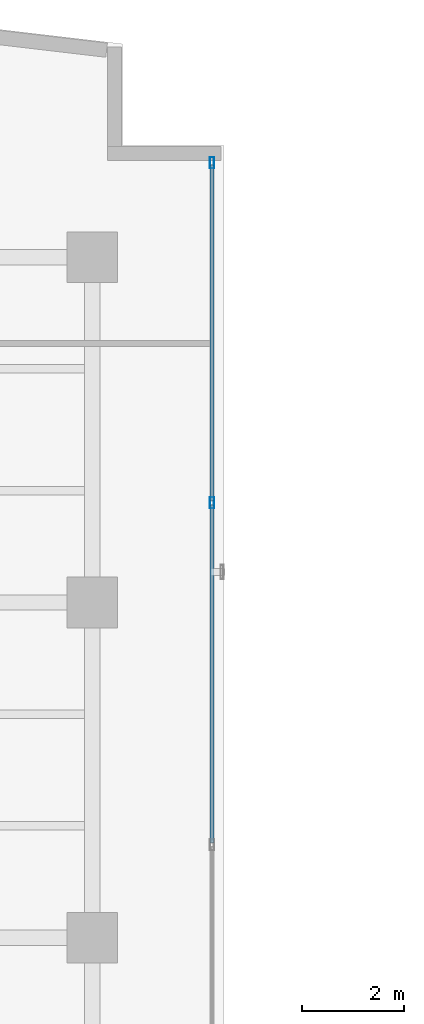
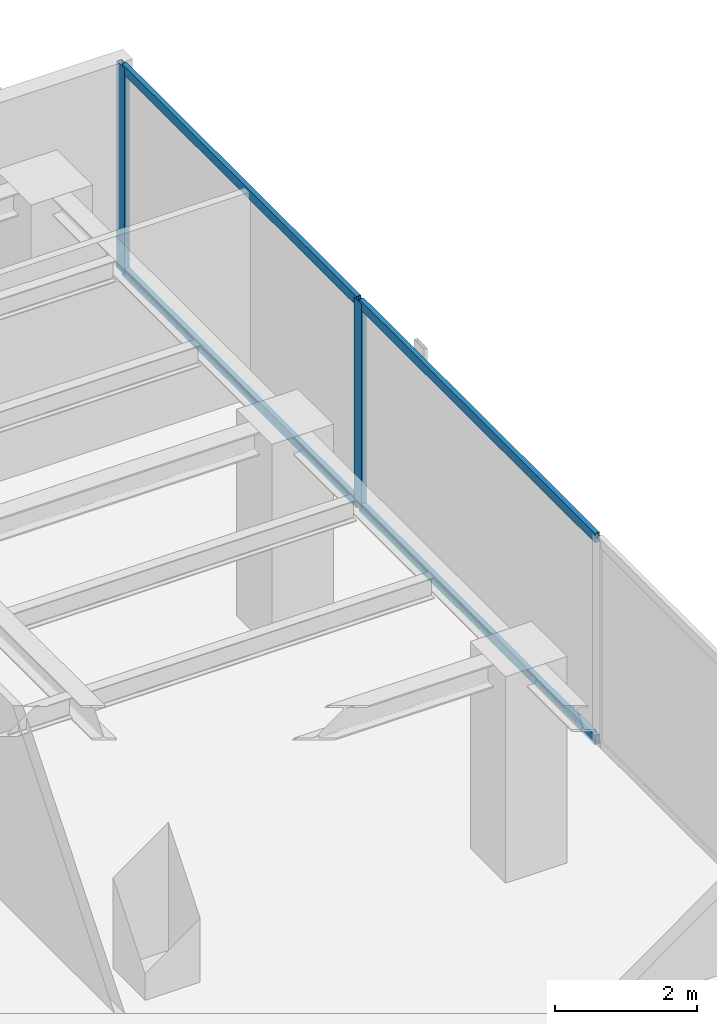
# One storey, part 14 of 23: 6 members, 1 element without a shape of its own.
"""IFC4 building model written with IfcOpenShell, lengths in metres."""

from ifc_helpers import new_model, si_unit, direction, frame, origin, origin_with_axes, origin_2d, place, context, subcontext, project, spatial, hollow_rectangle, extrude, source, transform, mapped, material, layer, layer_set, material_profile, profile_set, type_object, element, aggregate, save


model = new_model("IFC4")

# Units and contexts
model_context = context("Model", 3, precision=1e-05, world=origin(), true_north=direction((0.0, 1.0)))
body_context = subcontext(model_context, "Body", "Model", "MODEL_VIEW")
ifc_project = project(units=[si_unit("LENGTHUNIT", "METRE"), si_unit("AREAUNIT", "SQUARE_METRE"), si_unit("VOLUMEUNIT", "CUBIC_METRE"), si_unit("PLANEANGLEUNIT", "RADIAN"), si_unit("MASSUNIT", "GRAM", prefix="KILO")], contexts=[model_context])

# Site, building, storey
site_placement = place(None, origin())
site = spatial("IfcSite", under=ifc_project, at=site_placement, CompositionType="ELEMENT")
building_placement = place(site_placement, origin())
building = spatial("IfcBuilding", under=site, at=building_placement, Name="Kolvaren Waterfront Exchange", CompositionType="ELEMENT")
storey_placement = place(building_placement, frame((0.0, 0.0, 242.5)))
storey = spatial("IfcBuildingStorey", under=building, at=storey_placement, Name="L62", CompositionType="ELEMENT", Elevation=242.5)

# Curtain wall, members
ifc_material_1 = material(Name="Anodised bronze aluminium 6063-T6", Category="aluminium")
ifc_layer = layer(ifc_material_1, 0.219970703125, Name="Anodised bronze aluminium 6063-T6")
ifc_layer_set = layer_set([ifc_layer], Name="Anodised bronze aluminium 6063-T6")
curtain_wall_type = type_object("IfcCurtainWallType", Name="ARC-CW-SYS1", PredefinedType="USERDEFINED", material=ifc_layer_set)
curtain_wall_placement = place(storey_placement, origin())
curtain_wall = element("IfcCurtainWall", 1, at=curtain_wall_placement, inside=storey, type_object=curtain_wall_type, Name="L62 stick curtain wall CW1 (CW-L62-NE)", ObjectType="STICK CURTAIN WALL", PredefinedType="USERDEFINED")
ifc_material_2 = material(Name="Anodised aluminium 6063-T6", Category="aluminium")
ifc_material_profile_1 = material_profile(ifc_material_2, hollow_rectangle(XDim=0.080078125, YDim=0.219970703125, WallThickness=0.0048828125, at=origin_2d()), Name="ALU-MUL-220x80x5")
ifc_profile_set_1 = profile_set([ifc_material_profile_1], Name="Anodised aluminium 6063-T6")
member_type_1 = type_object("IfcMemberType", Name="ARC-CWM-220", PredefinedType="MULLION", material=ifc_profile_set_1)
shared_shape_1 = source(origin_with_axes(), body_context, "Body", "SweptSolid", [
    extrude(hollow_rectangle(XDim=0.080078125, YDim=0.219970703125, WallThickness=0.0048828125, at=origin_2d()), origin(), (0.0, 0.0, 1.0), 3.56005859375),
])
member_1_placement = place(storey_placement, frame((21.159912109375, 39.763427734375, 0.0), z_axis=(0.0, 0.0, 1.0), x_axis=(-1.0, 0.0, 0.0)))
member_1 = element("IfcMember", 2, at=member_1_placement, type_object=member_type_1, Name="CW1 mullion 3", PredefinedType="MULLION", context=body_context, shape_type="MappedRepresentation", body=[
    mapped(shared_shape_1, transform((0.0, 0.0, 0.0), x_axis=(1.0, 0.0, 0.0), y_axis=(0.0, 1.0, 0.0), z_axis=(0.0, 0.0, 1.0), scale=1.0)),
])
member_2_placement = place(storey_placement, frame((21.159912109375, 46.4599609375, 0.0), z_axis=(0.0, 0.0, 1.0), x_axis=(-1.0, 0.0, 0.0)))
member_2 = element("IfcMember", 3, at=member_2_placement, type_object=member_type_1, Name="CW1 mullion 4", PredefinedType="MULLION", context=body_context, shape_type="MappedRepresentation", body=[
    mapped(shared_shape_1, transform((0.0, 0.0, 0.0), x_axis=(1.0, 0.0, 0.0), y_axis=(0.0, 1.0, 0.0), z_axis=(0.0, 0.0, 1.0), scale=1.0)),
])
ifc_material_profile_2 = material_profile(ifc_material_2, hollow_rectangle(XDim=0.074951171875, YDim=0.159912109375, WallThickness=0.00439453125, at=origin_2d()), Name="ALU-TRN-160x75x4.5")
ifc_profile_set_2 = profile_set([ifc_material_profile_2], Name="Anodised aluminium 6063-T6")
member_type_2 = type_object("IfcMemberType", Name="ARC-CWT-160", PredefinedType="USERDEFINED", material=ifc_profile_set_2)
shared_shape_2 = source(origin_with_axes(), body_context, "Body", "SweptSolid", [
    extrude(hollow_rectangle(XDim=0.074951171875, YDim=0.159912109375, WallThickness=0.00439453125, at=origin_2d()), origin(), (0.0, 0.0, 1.0), 6.65673828125),
])
member_3_placement = place(storey_placement, frame((21.159912109375, 33.066650390625, 0.03759765625), z_axis=(0.0, 1.0, 0.0), x_axis=(-1.0, 0.0, 0.0)))
member_3 = element("IfcMember", 4, at=member_3_placement, type_object=member_type_2, Name="CW1 transom 2.1", ObjectType="TRANSOM", PredefinedType="USERDEFINED", context=body_context, shape_type="MappedRepresentation", body=[
    mapped(shared_shape_2, transform((0.0, 0.0, 0.0), x_axis=(1.0, 0.0, 0.0), y_axis=(0.0, 1.0, 0.0), z_axis=(0.0, 0.0, 1.0), scale=1.0)),
])
member_4_placement = place(storey_placement, frame((21.159912109375, 33.066650390625, 3.5224609375), z_axis=(0.0, 1.0, 0.0), x_axis=(-1.0, 0.0, 0.0)))
member_4 = element("IfcMember", 5, at=member_4_placement, type_object=member_type_2, Name="CW1 transom 2.2", ObjectType="TRANSOM", PredefinedType="USERDEFINED", context=body_context, shape_type="MappedRepresentation", body=[
    mapped(shared_shape_2, transform((0.0, 0.0, 0.0), x_axis=(1.0, 0.0, 0.0), y_axis=(0.0, 1.0, 0.0), z_axis=(0.0, 0.0, 1.0), scale=1.0)),
])
shared_shape_3 = source(origin_with_axes(), body_context, "Body", "SweptSolid", [
    extrude(hollow_rectangle(XDim=0.074951171875, YDim=0.159912109375, WallThickness=0.00439453125, at=origin_2d()), origin(), (0.0, 0.0, 1.0), 6.61669921875),
])
member_5_placement = place(storey_placement, frame((21.159912109375, 39.80322265625, 0.03759765625), z_axis=(0.0, 1.0, 0.0), x_axis=(-1.0, 0.0, 0.0)))
member_5 = element("IfcMember", 6, at=member_5_placement, type_object=member_type_2, Name="CW1 transom 3.1", ObjectType="TRANSOM", PredefinedType="USERDEFINED", context=body_context, shape_type="MappedRepresentation", body=[
    mapped(shared_shape_3, transform((0.0, 0.0, 0.0), x_axis=(1.0, 0.0, 0.0), y_axis=(0.0, 1.0, 0.0), z_axis=(0.0, 0.0, 1.0), scale=1.0)),
])
member_6_placement = place(storey_placement, frame((21.159912109375, 39.80322265625, 3.5224609375), z_axis=(0.0, 1.0, 0.0), x_axis=(-1.0, 0.0, 0.0)))
member_6 = element("IfcMember", 7, at=member_6_placement, type_object=member_type_2, Name="CW1 transom 3.2", ObjectType="TRANSOM", PredefinedType="USERDEFINED", context=body_context, shape_type="MappedRepresentation", body=[
    mapped(shared_shape_3, transform((0.0, 0.0, 0.0), x_axis=(1.0, 0.0, 0.0), y_axis=(0.0, 1.0, 0.0), z_axis=(0.0, 0.0, 1.0), scale=1.0)),
])
aggregate(curtain_wall, [member_1, member_2, member_3, member_4, member_5, member_6])

save(model, "model.ifc")
